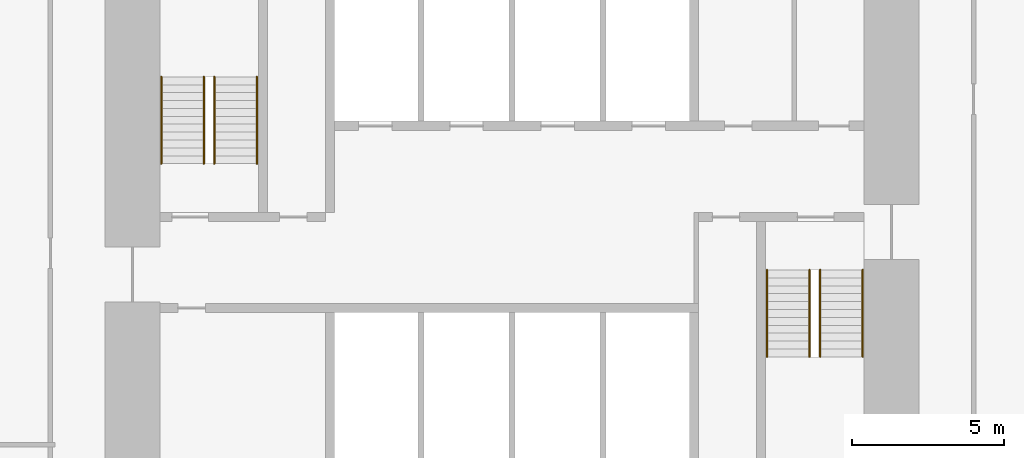
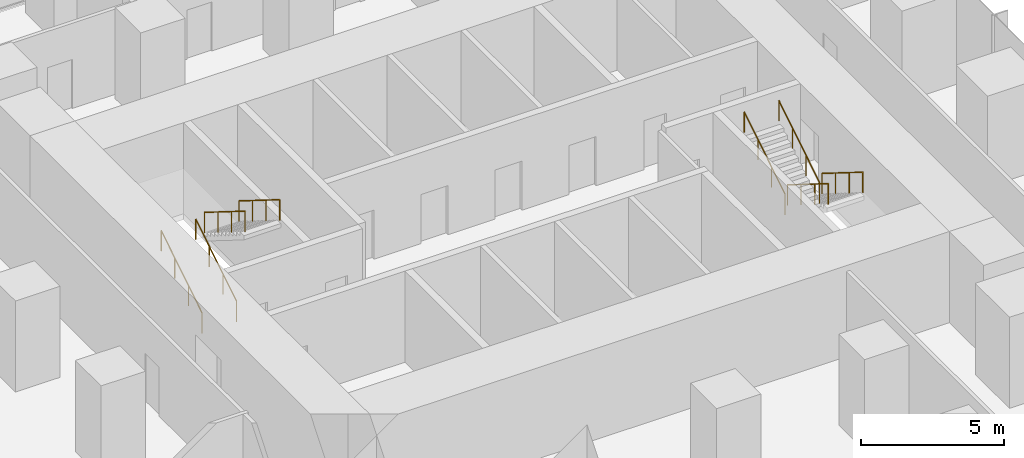
# One storey, part 11 of 11: 8 railings.
"""IFC4 building model written with IfcOpenShell, lengths in metres."""

from ifc_helpers import new_model, si_unit, direction, frame, origin, origin_2d, place, context, subcontext, project, spatial, circle, extrude, material, type_object, element, save


model = new_model("IFC4")

# Units and contexts
model_context = context("Model", 3, precision=1e-05, world=origin(), true_north=direction((0.0, 1.0)))
body_context = subcontext(model_context, "Body", "Model", "MODEL_VIEW")
ifc_project = project(units=[si_unit("LENGTHUNIT", "METRE"), si_unit("AREAUNIT", "SQUARE_METRE"), si_unit("VOLUMEUNIT", "CUBIC_METRE"), si_unit("PLANEANGLEUNIT", "RADIAN"), si_unit("MASSUNIT", "GRAM", prefix="KILO")], contexts=[model_context])

# Site, building, storey
site_placement = place(None, origin())
site = spatial("IfcSite", under=ifc_project, at=site_placement, CompositionType="ELEMENT")
building_placement = place(site_placement, origin())
building = spatial("IfcBuilding", under=site, at=building_placement, Name="Highveld Stack Headquarters", CompositionType="ELEMENT")
storey_placement = place(building_placement, frame((0.0, 0.0, 33.800048828125)))
storey = spatial("IfcBuildingStorey", under=building, at=storey_placement, Name="L07", CompositionType="ELEMENT", Elevation=33.800048828125)

# Railings
ifc_material = material(Name="Stainless steel handrail", Category="steel")
railing_type = type_object("IfcRailingType", Name="STAIR HANDRAIL HR1 900", PredefinedType="HANDRAIL", material=ifc_material)
for number, where, name in (
    (1, (-5.550048828125, 4.75, 0.162353515625), "Handrail S1 L07 flight 1"),
    (2, (-4.14990234375, 4.75, 0.162353515625), "Handrail S1 L07 flight 1"),
):
    element("IfcRailing", number, at=place(storey_placement, frame(where)), inside=storey, type_object=railing_type, Name=name, PredefinedType="HANDRAIL", context=body_context, shape_type="SweptSolid", body=[
        extrude(circle(Radius=0.02392578125, at=origin_2d()), frame((0.0, 0.0, 0.8759765625), z_axis=(0.0, 0.847994237388, 0.530005446535), x_axis=(-1.0, 0.0, 0.0)), (0.0, 0.0, 1.0), 3.372802734375),
        extrude(circle(Radius=0.02099609375, at=origin_2d()), origin(), (0.0, 0.0, 1.0), 0.851806640625),
        extrude(circle(Radius=0.02099609375, at=origin_2d()), frame((0.0, 0.953369140625, 0.595947265625)), (0.0, 0.0, 1.0), 0.851806640625),
        extrude(circle(Radius=0.02099609375, at=origin_2d()), frame((0.0, 1.90673828125, 1.191650390625)), (0.0, 0.0, 1.0), 0.851806640625),
        extrude(circle(Radius=0.02099609375, at=origin_2d()), frame((0.0, 2.860107421875, 1.78759765625)), (0.0, 0.0, 1.0), 0.851806640625),
    ])
for number, where, name in (
    (3, (-3.800048828125, 7.610107421875, 2.112548828125), "Handrail S1 L07 flight 2"),
    (4, (-2.39990234375, 7.610107421875, 2.112548828125), "Handrail S1 L07 flight 2"),
):
    element("IfcRailing", number, at=place(storey_placement, frame(where)), inside=storey, type_object=railing_type, Name=name, PredefinedType="HANDRAIL", context=body_context, shape_type="SweptSolid", body=[
        extrude(circle(Radius=0.02392578125, at=origin_2d()), frame((0.0, 0.0, 0.8759765625), z_axis=(0.0, -0.848026770018, 0.529953391661), x_axis=(1.0, 0.0, 0.0)), (0.0, 0.0, 1.0), 3.37255859375),
        extrude(circle(Radius=0.02099609375, at=origin_2d()), origin(), (0.0, 0.0, 1.0), 0.851806640625),
        extrude(circle(Radius=0.02099609375, at=origin_2d()), frame((0.0, -0.953369140625, 0.595703125)), (0.0, 0.0, 1.0), 0.851806640625),
        extrude(circle(Radius=0.02099609375, at=origin_2d()), frame((0.0, -1.90673828125, 1.191650390625)), (0.0, 0.0, 1.0), 0.851806640625),
        extrude(circle(Radius=0.02099609375, at=origin_2d()), frame((0.0, -2.860107421875, 1.787353515625)), (0.0, 0.0, 1.0), 0.851806640625),
    ])
for number, where, name in (
    (5, (16.14990234375, 1.25, 0.162353515625), "Handrail S2 L07 flight 1"),
    (6, (17.550048828125, 1.25, 0.162353515625), "Handrail S2 L07 flight 1"),
):
    element("IfcRailing", number, at=place(storey_placement, frame(where)), inside=storey, type_object=railing_type, Name=name, PredefinedType="HANDRAIL", context=body_context, shape_type="SweptSolid", body=[
        extrude(circle(Radius=0.02392578125, at=origin_2d()), frame((0.0, 0.0, 0.8759765625), z_axis=(0.0, -0.847994237388, 0.530005446535), x_axis=(1.0, 0.0, 0.0)), (0.0, 0.0, 1.0), 3.372802734375),
        extrude(circle(Radius=0.02099609375, at=origin_2d()), origin(), (0.0, 0.0, 1.0), 0.851806640625),
        extrude(circle(Radius=0.02099609375, at=origin_2d()), frame((0.0, -0.953369140625, 0.595947265625)), (0.0, 0.0, 1.0), 0.851806640625),
        extrude(circle(Radius=0.02099609375, at=origin_2d()), frame((0.0, -1.90673828125, 1.191650390625)), (0.0, 0.0, 1.0), 0.851806640625),
        extrude(circle(Radius=0.02099609375, at=origin_2d()), frame((0.0, -2.860107421875, 1.78759765625)), (0.0, 0.0, 1.0), 0.851806640625),
    ])
for number, where, name in (
    (7, (14.39990234375, -1.610107421875, 2.112548828125), "Handrail S2 L07 flight 2"),
    (8, (15.800048828125, -1.610107421875, 2.112548828125), "Handrail S2 L07 flight 2"),
):
    element("IfcRailing", number, at=place(storey_placement, frame(where)), inside=storey, type_object=railing_type, Name=name, PredefinedType="HANDRAIL", context=body_context, shape_type="SweptSolid", body=[
        extrude(circle(Radius=0.02392578125, at=origin_2d()), frame((0.0, 0.0, 0.8759765625), z_axis=(0.0, 0.848026770018, 0.529953391661), x_axis=(-1.0, 0.0, 0.0)), (0.0, 0.0, 1.0), 3.37255859375),
        extrude(circle(Radius=0.02099609375, at=origin_2d()), origin(), (0.0, 0.0, 1.0), 0.851806640625),
        extrude(circle(Radius=0.02099609375, at=origin_2d()), frame((0.0, 0.953369140625, 0.595703125)), (0.0, 0.0, 1.0), 0.851806640625),
        extrude(circle(Radius=0.02099609375, at=origin_2d()), frame((0.0, 1.90673828125, 1.191650390625)), (0.0, 0.0, 1.0), 0.851806640625),
        extrude(circle(Radius=0.02099609375, at=origin_2d()), frame((0.0, 2.860107421875, 1.787353515625)), (0.0, 0.0, 1.0), 0.851806640625),
    ])

save(model, "model.ifc")
